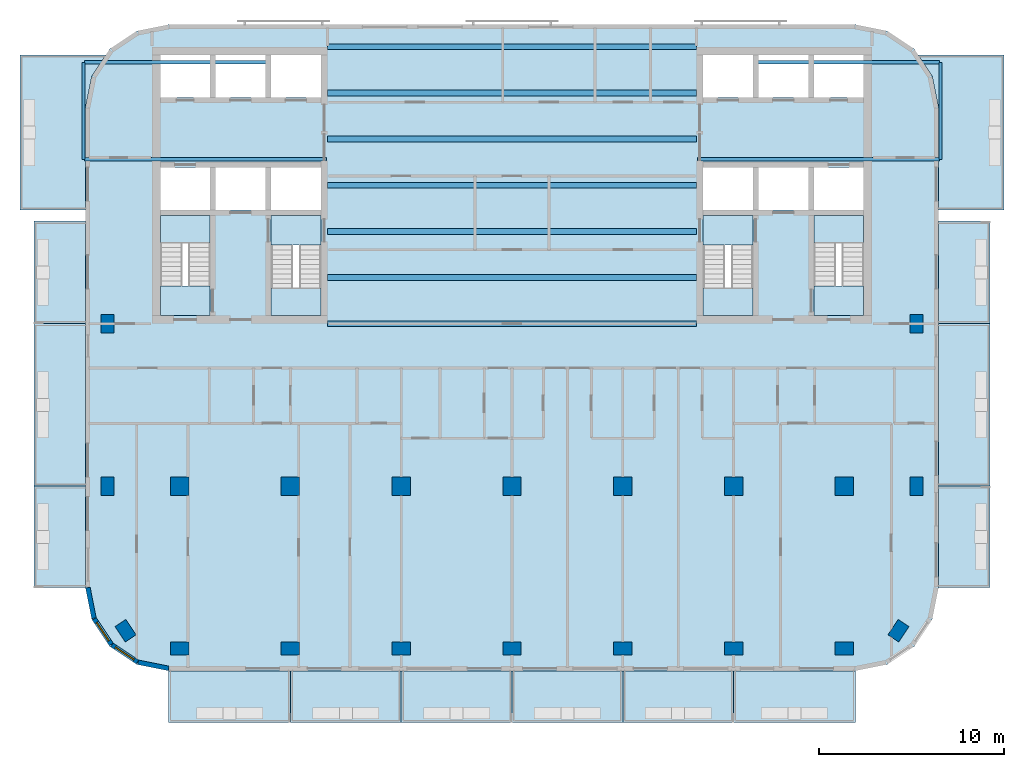
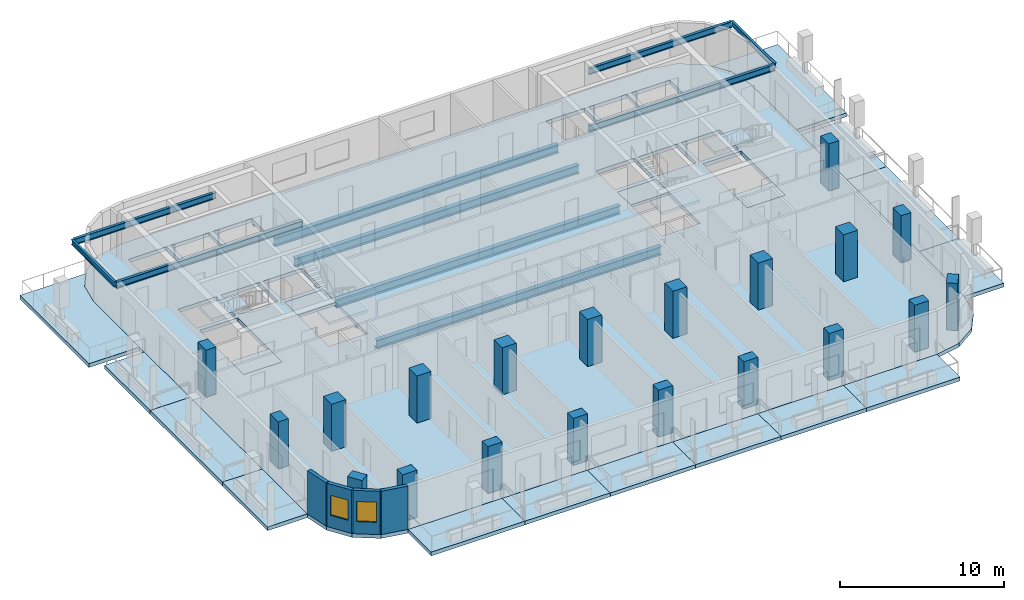
# One storey, part 1 of 11: 23 slabs, 20 columns, 13 beams, 4 walls, 2 windows, 2 openings, 4 elements without a shape of their own.
"""IFC4 building model written with IfcOpenShell, lengths in metres."""

from ifc_helpers import new_model, si_unit, direction, frame, frame_2d, origin, origin_2d, place, context, subcontext, project, spatial, polyline, rectangle, i_section, outline, extrude, material, layer, layer_set, material_profile, profile_set, type_object, element, fill, aggregate, save


model = new_model("IFC4")

# Units and contexts
model_context = context("Model", 3, precision=1e-05, world=origin(), true_north=direction((0.0, 1.0)))
body_context = subcontext(model_context, "Body", "Model", "MODEL_VIEW")
ifc_project = project(units=[si_unit("LENGTHUNIT", "METRE"), si_unit("AREAUNIT", "SQUARE_METRE"), si_unit("VOLUMEUNIT", "CUBIC_METRE"), si_unit("PLANEANGLEUNIT", "RADIAN"), si_unit("MASSUNIT", "GRAM", prefix="KILO")], contexts=[model_context])

# Site, building, storey
site_placement = place(None, origin())
site = spatial("IfcSite", under=ifc_project, at=site_placement, CompositionType="ELEMENT")
building_placement = place(site_placement, origin())
building = spatial("IfcBuilding", under=site, at=building_placement, Name="Torana Hotel and Residences", CompositionType="ELEMENT")
storey_placement = place(building_placement, frame((0.0, 0.0, 277.10009765625)))
storey = spatial("IfcBuildingStorey", under=building, at=storey_placement, Name="L73", CompositionType="ELEMENT", Elevation=277.10009765625)

# Columns
ifc_material_1 = material(Name="Concrete C50/60", Category="concrete")
ifc_material_profile_1 = material_profile(ifc_material_1, rectangle(XDim=1.0, YDim=1.0, at=origin_2d()), Name="RC 1000x1000")
ifc_profile_set_1 = profile_set([ifc_material_profile_1], Name="Concrete C50/60")
column_type_1 = type_object("IfcColumnType", Name="COLUMN RC 1000x1000 C50/60", PredefinedType="COLUMN", material=ifc_profile_set_1)
for number, where, z_axis, x_axis, name in (
    (1, (-18.0, -23.800048828125, 0.0), (0.0, 0.0, 1.0), (1.0, 0.0, 0.0), "Column L73"),
    (2, (-12.0, -23.800048828125, 0.0), (0.0, 0.0, 1.0), (1.0, 0.0, 0.0), "Column L73"),
    (3, (-6.0, -23.800048828125, 0.0), (0.0, 0.0, 1.0), (1.0, 0.0, 0.0), "Column L73"),
    (4, (0.0, -23.800048828125, 0.0), (0.0, 0.0, 1.0), (1.0, 0.0, 0.0), "Column L73"),
    (5, (6.0, -23.800048828125, 0.0), (0.0, 0.0, 1.0), (1.0, 0.0, 0.0), "Column L73"),
    (6, (12.0, -23.800048828125, 0.0), (0.0, 0.0, 1.0), (1.0, 0.0, 0.0), "Column L73"),
    (7, (18.0, -23.800048828125, 0.0), (0.0, 0.0, 1.0), (1.0, 0.0, 0.0), "Column L73"),
):
    element("IfcColumn", number, at=place(storey_placement, frame(where, z_axis=z_axis, x_axis=x_axis)), inside=storey, type_object=column_type_1, Name=name, PredefinedType="COLUMN", context=body_context, shape_type="SweptSolid", body=[
        extrude(rectangle(XDim=1.0, YDim=1.0, at=origin_2d()), origin(), (0.0, 0.0, 1.0), 3.5),
    ])
ifc_material_2 = material(Name="Concrete C50/60", Category="concrete")
ifc_material_profile_2 = material_profile(ifc_material_2, rectangle(XDim=1.0, YDim=0.699951171875, at=origin_2d()), Name="RC 1000x700")
ifc_profile_set_2 = profile_set([ifc_material_profile_2], Name="Concrete C50/60")
column_type_2 = type_object("IfcColumnType", Name="COLUMN RC 1000x700 C50/60", PredefinedType="COLUMN", material=ifc_profile_set_2)
for number, where, z_axis, x_axis, name in (
    (8, (-21.89990234375, -23.800048828125, 0.0), (0.0, 0.0, 1.0), (0.0, 1.0, 0.0), "Column L73"),
    (9, (-21.89990234375, -15.0, 0.0), (0.0, 0.0, 1.0), (0.0, 1.0, 0.0), "Column L73"),
    (10, (-20.93310546875, -31.633056640625, 0.0), (0.0, 0.0, 1.0), (-0.555584744817, 0.831459915646, 0.0), "Column L73"),
    (11, (-18.0, -32.60009765625, 0.0), (0.0, 0.0, 1.0), (1.0, 0.0, 0.0), "Column L73"),
    (12, (-12.0, -32.60009765625, 0.0), (0.0, 0.0, 1.0), (1.0, 0.0, 0.0), "Column L73"),
    (13, (-6.0, -32.60009765625, 0.0), (0.0, 0.0, 1.0), (1.0, 0.0, 0.0), "Column L73"),
    (14, (0.0, -32.60009765625, 0.0), (0.0, 0.0, 1.0), (1.0, 0.0, 0.0), "Column L73"),
    (15, (6.0, -32.60009765625, 0.0), (0.0, 0.0, 1.0), (1.0, 0.0, 0.0), "Column L73"),
    (16, (12.0, -32.60009765625, 0.0), (0.0, 0.0, 1.0), (1.0, 0.0, 0.0), "Column L73"),
    (17, (18.0, -32.60009765625, 0.0), (0.0, 0.0, 1.0), (1.0, 0.0, 0.0), "Column L73"),
    (18, (20.93310546875, -31.633056640625, 0.0), (0.0, 0.0, 1.0), (0.555584744817, 0.831459915646, 0.0), "Column L73"),
    (19, (21.89990234375, -23.800048828125, 0.0), (0.0, 0.0, 1.0), (0.0, 1.0, 0.0), "Column L73"),
    (20, (21.89990234375, -15.0, 0.0), (0.0, 0.0, 1.0), (0.0, 1.0, 0.0), "Column L73"),
):
    element("IfcColumn", number, at=place(storey_placement, frame(where, z_axis=z_axis, x_axis=x_axis)), inside=storey, type_object=column_type_2, Name=name, PredefinedType="COLUMN", context=body_context, shape_type="SweptSolid", body=[
        extrude(rectangle(XDim=1.0, YDim=0.699951171875, at=origin_2d()), origin(), (0.0, 0.0, 1.0), 3.5),
    ])

# Beams
ifc_material_3 = material(Name="Steel S355", Category="steel")
ifc_material_profile_3 = material_profile(ifc_material_3, i_section(OverallWidth=0.19287109375, OverallDepth=0.46728515625, WebThickness=0.011474609375, FlangeThickness=0.01953125, FilletRadius=0.01025390625, at=origin_2d()), Name="457x191x98 UB")
ifc_profile_set_3 = profile_set([ifc_material_profile_3], Name="Steel S355")
beam_type_1 = type_object("IfcBeamType", Name="BALCONY CANTILEVER BEAM 457x191x98 UB", PredefinedType="BEAM", material=ifc_profile_set_3)
beam_1_placement = place(storey_placement, frame((-23.1484375, -6.10009765625, 2.986328125), z_axis=(1.0, 0.0, 0.0), x_axis=(0.0, 1.0, 0.0)))
element("IfcBeam", 21, at=beam_1_placement, inside=storey, type_object=beam_type_1, Name="Balcony cantilever beam", PredefinedType="BEAM", context=body_context, shape_type="SweptSolid", body=[
    extrude(i_section(OverallWidth=0.19287109375, OverallDepth=0.46728515625, WebThickness=0.011474609375, FlangeThickness=0.01953125, FilletRadius=0.01025390625, at=origin_2d()), origin(), (0.0, 0.0, 1.0), 13.098388671875),
])
beam_2_placement = place(storey_placement, frame((-23.1484375, -0.85009765625, 2.986328125), z_axis=(1.0, 0.0, 0.0), x_axis=(0.0, 1.0, 0.0)))
element("IfcBeam", 22, at=beam_2_placement, inside=storey, type_object=beam_type_1, Name="Balcony cantilever beam", PredefinedType="BEAM", context=body_context, shape_type="SweptSolid", body=[
    extrude(i_section(OverallWidth=0.19287109375, OverallDepth=0.46728515625, WebThickness=0.011474609375, FlangeThickness=0.01953125, FilletRadius=0.01025390625, at=origin_2d()), origin(), (0.0, 0.0, 1.0), 10.04833984375),
])
beam_3_placement = place(storey_placement, frame((23.1484375, -6.10009765625, 2.986328125), z_axis=(-1.0, 0.0, 0.0), x_axis=(0.0, -1.0, 0.0)))
element("IfcBeam", 23, at=beam_3_placement, inside=storey, type_object=beam_type_1, Name="Balcony cantilever beam", PredefinedType="BEAM", context=body_context, shape_type="SweptSolid", body=[
    extrude(i_section(OverallWidth=0.19287109375, OverallDepth=0.46728515625, WebThickness=0.011474609375, FlangeThickness=0.01953125, FilletRadius=0.01025390625, at=origin_2d()), origin(), (0.0, 0.0, 1.0), 13.098388671875),
])
beam_4_placement = place(storey_placement, frame((23.1484375, -0.85009765625, 2.986328125), z_axis=(-1.0, 0.0, 0.0), x_axis=(0.0, -1.0, 0.0)))
element("IfcBeam", 24, at=beam_4_placement, inside=storey, type_object=beam_type_1, Name="Balcony cantilever beam", PredefinedType="BEAM", context=body_context, shape_type="SweptSolid", body=[
    extrude(i_section(OverallWidth=0.19287109375, OverallDepth=0.46728515625, WebThickness=0.011474609375, FlangeThickness=0.01953125, FilletRadius=0.01025390625, at=origin_2d()), origin(), (0.0, 0.0, 1.0), 10.04833984375),
])
ifc_material_4 = material(Name="Steel S355", Category="steel")
ifc_material_profile_4 = material_profile(ifc_material_4, i_section(OverallWidth=0.173095703125, OverallDepth=0.36328125, WebThickness=0.009033203125, FlangeThickness=0.015625, FilletRadius=0.01025390625, at=origin_2d()), Name="356x171x67 UB")
ifc_profile_set_4 = profile_set([ifc_material_profile_4], Name="Steel S355")
beam_type_2 = type_object("IfcBeamType", Name="BALCONY TIP BEAM 356x171x67 UB", PredefinedType="BEAM", material=ifc_profile_set_4)
for number, where, z_axis, x_axis, name in (
    (25, (-23.205078125, -6.10009765625, 3.0380859375), (0.0, 1.0, 0.0), (-1.0, 0.0, 0.0), "Balcony tip beam"),
    (26, (23.205078125, -6.10009765625, 3.0380859375), (0.0, 1.0, 0.0), (-1.0, 0.0, 0.0), "Balcony tip beam"),
):
    element("IfcBeam", number, at=place(storey_placement, frame(where, z_axis=z_axis, x_axis=x_axis)), inside=storey, type_object=beam_type_2, Name=name, PredefinedType="BEAM", context=body_context, shape_type="SweptSolid", body=[
        extrude(i_section(OverallWidth=0.173095703125, OverallDepth=0.36328125, WebThickness=0.009033203125, FlangeThickness=0.015625, FilletRadius=0.01025390625, at=origin_2d()), origin(), (0.0, 0.0, 1.0), 5.25),
    ])
ifc_material_5 = material(Name="Steel S355", Category="steel")
ifc_material_profile_5 = material_profile(ifc_material_5, i_section(OverallWidth=0.311279296875, OverallDepth=0.6357421875, WebThickness=0.018310546875, FlangeThickness=0.031494140625, FilletRadius=0.0166015625, at=origin_2d()), Name="610x305x238 UB")
ifc_profile_set_5 = profile_set([ifc_material_profile_5], Name="Steel S355")
beam_type_3 = type_object("IfcBeamType", Name="STEEL GIRDER 610x305x238 UB", PredefinedType="BEAM", material=ifc_profile_set_5)
for number, where, z_axis, x_axis, name in (
    (27, (-10.0, -15.0, -0.597900390625), (1.0, 0.0, 0.0), (0.0, 1.0, 0.0), "Floor girder"),
    (28, (-10.0, -12.5, -0.597900390625), (1.0, 0.0, 0.0), (0.0, 1.0, 0.0), "Floor girder"),
    (29, (-10.0, -10.0, -0.597900390625), (1.0, 0.0, 0.0), (0.0, 1.0, 0.0), "Floor girder"),
    (30, (-10.0, -7.5, -0.597900390625), (1.0, 0.0, 0.0), (0.0, 1.0, 0.0), "Floor girder"),
    (31, (-10.0, -5.0, -0.597900390625), (1.0, 0.0, 0.0), (0.0, 1.0, 0.0), "Floor girder"),
    (32, (-10.0, -2.5, -0.597900390625), (1.0, 0.0, 0.0), (0.0, 1.0, 0.0), "Floor girder"),
    (33, (-10.0, 0.0, -0.597900390625), (1.0, 0.0, 0.0), (0.0, 1.0, 0.0), "Floor girder"),
):
    element("IfcBeam", number, at=place(storey_placement, frame(where, z_axis=z_axis, x_axis=x_axis)), inside=storey, type_object=beam_type_3, Name=name, PredefinedType="BEAM", context=body_context, shape_type="SweptSolid", body=[
        extrude(i_section(OverallWidth=0.311279296875, OverallDepth=0.6357421875, WebThickness=0.018310546875, FlangeThickness=0.031494140625, FilletRadius=0.0166015625, at=origin_2d()), origin(), (0.0, 0.0, 1.0), 20.0),
    ])

# Slabs
ifc_material_6 = material(Name="Concrete C40/50", Category="concrete")
ifc_layer_1 = layer(ifc_material_6, 0.280029296875)
ifc_layer_set_1 = layer_set([ifc_layer_1], Name="BAL1 BALCONY SLAB 280")
slab_type_1 = type_object("IfcSlabType", Name="BAL1 BALCONY SLAB 280", PredefinedType="USERDEFINED", material=ifc_layer_set_1)
slab_1_placement = place(storey_placement, frame((0.0, 0.0, -0.280029296875)))
element("IfcSlab", 34, at=slab_1_placement, inside=storey, type_object=slab_type_1, Name="Balcony 01", ObjectType="BALCONY", PredefinedType="USERDEFINED", context=body_context, shape_type="SweptSolid", body=[
    extrude(outline(polyline([(-18.60009765625, -36.60009765625), (-12.0, -36.60009765625), (-12.0, -33.800048828125), (-18.60009765625, -33.800048828125), (-18.60009765625, -36.60009765625)])), origin(), (0.0, 0.0, 1.0), 0.280029296875),
])
slab_2_placement = place(storey_placement, frame((0.0, 0.0, -0.280029296875)))
element("IfcSlab", 35, at=slab_2_placement, inside=storey, type_object=slab_type_1, Name="Balcony 02", ObjectType="BALCONY", PredefinedType="USERDEFINED", context=body_context, shape_type="SweptSolid", body=[
    extrude(outline(polyline([(-12.0, -36.60009765625), (-6.0, -36.60009765625), (-6.0, -33.800048828125), (-12.0, -33.800048828125), (-12.0, -36.60009765625)])), origin(), (0.0, 0.0, 1.0), 0.280029296875),
])
slab_3_placement = place(storey_placement, frame((0.0, 0.0, -0.280029296875)))
element("IfcSlab", 36, at=slab_3_placement, inside=storey, type_object=slab_type_1, Name="Balcony 03", ObjectType="BALCONY", PredefinedType="USERDEFINED", context=body_context, shape_type="SweptSolid", body=[
    extrude(outline(polyline([(-6.0, -36.60009765625), (0.0, -36.60009765625), (0.0, -33.800048828125), (-6.0, -33.800048828125), (-6.0, -36.60009765625)])), origin(), (0.0, 0.0, 1.0), 0.280029296875),
])
slab_4_placement = place(storey_placement, frame((0.0, 0.0, -0.280029296875)))
element("IfcSlab", 37, at=slab_4_placement, inside=storey, type_object=slab_type_1, Name="Balcony 04", ObjectType="BALCONY", PredefinedType="USERDEFINED", context=body_context, shape_type="SweptSolid", body=[
    extrude(outline(polyline([(0.0, -36.60009765625), (6.0, -36.60009765625), (6.0, -33.800048828125), (0.0, -33.800048828125), (0.0, -36.60009765625)])), origin(), (0.0, 0.0, 1.0), 0.280029296875),
])
slab_5_placement = place(storey_placement, frame((0.0, 0.0, -0.280029296875)))
element("IfcSlab", 38, at=slab_5_placement, inside=storey, type_object=slab_type_1, Name="Balcony 05", ObjectType="BALCONY", PredefinedType="USERDEFINED", context=body_context, shape_type="SweptSolid", body=[
    extrude(outline(polyline([(6.0, -36.60009765625), (12.0, -36.60009765625), (12.0, -33.800048828125), (6.0, -33.800048828125), (6.0, -36.60009765625)])), origin(), (0.0, 0.0, 1.0), 0.280029296875),
])
slab_6_placement = place(storey_placement, frame((0.0, 0.0, -0.280029296875)))
element("IfcSlab", 39, at=slab_6_placement, inside=storey, type_object=slab_type_1, Name="Balcony 06", ObjectType="BALCONY", PredefinedType="USERDEFINED", context=body_context, shape_type="SweptSolid", body=[
    extrude(outline(polyline([(12.0, -36.60009765625), (18.60009765625, -36.60009765625), (18.60009765625, -33.800048828125), (12.0, -33.800048828125), (12.0, -36.60009765625)])), origin(), (0.0, 0.0, 1.0), 0.280029296875),
])
slab_7_placement = place(storey_placement, frame((0.0, 0.0, -0.280029296875)))
element("IfcSlab", 40, at=slab_7_placement, inside=storey, type_object=slab_type_1, Name="Balcony 07", ObjectType="BALCONY", PredefinedType="USERDEFINED", context=body_context, shape_type="SweptSolid", body=[
    extrude(outline(polyline([(-25.89990234375, -29.300048828125), (-23.10009765625, -29.300048828125), (-23.10009765625, -23.800048828125), (-25.89990234375, -23.800048828125), (-25.89990234375, -29.300048828125)])), origin(), (0.0, 0.0, 1.0), 0.280029296875),
])
slab_8_placement = place(storey_placement, frame((0.0, 0.0, -0.280029296875)))
element("IfcSlab", 41, at=slab_8_placement, inside=storey, type_object=slab_type_1, Name="Balcony 08", ObjectType="BALCONY", PredefinedType="USERDEFINED", context=body_context, shape_type="SweptSolid", body=[
    extrude(outline(polyline([(-25.89990234375, -23.800048828125), (-23.10009765625, -23.800048828125), (-23.10009765625, -15.0), (-25.89990234375, -15.0), (-25.89990234375, -23.800048828125)])), origin(), (0.0, 0.0, 1.0), 0.280029296875),
])
slab_9_placement = place(storey_placement, frame((0.0, 0.0, -0.280029296875)))
element("IfcSlab", 42, at=slab_9_placement, inside=storey, type_object=slab_type_1, Name="Balcony 09", ObjectType="BALCONY", PredefinedType="USERDEFINED", context=body_context, shape_type="SweptSolid", body=[
    extrude(outline(polyline([(-25.89990234375, -15.0), (-23.10009765625, -15.0), (-23.10009765625, -9.449951171875), (-25.89990234375, -9.449951171875), (-25.89990234375, -15.0)])), origin(), (0.0, 0.0, 1.0), 0.280029296875),
])
slab_10_placement = place(storey_placement, frame((0.0, 0.0, -0.280029296875)))
element("IfcSlab", 43, at=slab_10_placement, inside=storey, type_object=slab_type_1, Name="Balcony 10", ObjectType="BALCONY", PredefinedType="USERDEFINED", context=body_context, shape_type="SweptSolid", body=[
    extrude(outline(polyline([(-26.64990234375, -8.85009765625), (-23.10009765625, -8.85009765625), (-23.10009765625, -3.300048828125), (-22.757568359375, -1.577880859375), (-22.00390625, -0.449951171875), (-26.64990234375, -0.449951171875), (-26.64990234375, -8.85009765625)])), origin(), (0.0, 0.0, 1.0), 0.280029296875),
])
slab_11_placement = place(storey_placement, frame((0.0, 0.0, -0.280029296875)))
element("IfcSlab", 44, at=slab_11_placement, inside=storey, type_object=slab_type_1, Name="Balcony 11", ObjectType="BALCONY", PredefinedType="USERDEFINED", context=body_context, shape_type="SweptSolid", body=[
    extrude(outline(polyline([(23.10009765625, -29.300048828125), (25.89990234375, -29.300048828125), (25.89990234375, -23.800048828125), (23.10009765625, -23.800048828125), (23.10009765625, -29.300048828125)])), origin(), (0.0, 0.0, 1.0), 0.280029296875),
])
slab_12_placement = place(storey_placement, frame((0.0, 0.0, -0.280029296875)))
element("IfcSlab", 45, at=slab_12_placement, inside=storey, type_object=slab_type_1, Name="Balcony 12", ObjectType="BALCONY", PredefinedType="USERDEFINED", context=body_context, shape_type="SweptSolid", body=[
    extrude(outline(polyline([(23.10009765625, -23.800048828125), (25.89990234375, -23.800048828125), (25.89990234375, -15.0), (23.10009765625, -15.0), (23.10009765625, -23.800048828125)])), origin(), (0.0, 0.0, 1.0), 0.280029296875),
])
slab_13_placement = place(storey_placement, frame((0.0, 0.0, -0.280029296875)))
element("IfcSlab", 46, at=slab_13_placement, inside=storey, type_object=slab_type_1, Name="Balcony 13", ObjectType="BALCONY", PredefinedType="USERDEFINED", context=body_context, shape_type="SweptSolid", body=[
    extrude(outline(polyline([(23.10009765625, -15.0), (25.89990234375, -15.0), (25.89990234375, -9.449951171875), (23.10009765625, -9.449951171875), (23.10009765625, -15.0)])), origin(), (0.0, 0.0, 1.0), 0.280029296875),
])
slab_14_placement = place(storey_placement, frame((0.0, 0.0, -0.280029296875)))
element("IfcSlab", 47, at=slab_14_placement, inside=storey, type_object=slab_type_1, Name="Balcony 14", ObjectType="BALCONY", PredefinedType="USERDEFINED", context=body_context, shape_type="SweptSolid", body=[
    extrude(outline(polyline([(23.10009765625, -8.85009765625), (26.64990234375, -8.85009765625), (26.64990234375, -0.449951171875), (22.00390625, -0.449951171875), (22.757568359375, -1.577880859375), (23.10009765625, -3.300048828125), (23.10009765625, -8.85009765625)])), origin(), (0.0, 0.0, 1.0), 0.280029296875),
])
ifc_material_7 = material(Name="Concrete C40/50", Category="concrete")
ifc_layer_2 = layer(ifc_material_7, 0.280029296875)
ifc_layer_set_2 = layer_set([ifc_layer_2], Name="FLOOR SLAB PT 280")
slab_type_2 = type_object("IfcSlabType", Name="FLOOR SLAB PT 280", PredefinedType="FLOOR", material=ifc_layer_set_2)
slab_15_placement = place(storey_placement, frame((0.0, 0.0, -0.280029296875)))
element("IfcSlab", 48, at=slab_15_placement, inside=storey, type_object=slab_type_2, Name="Floor slab", PredefinedType="FLOOR", context=body_context, shape_type="SweptSolid", body=[
    extrude(outline(polyline([(23.10009765625, -3.300048828125), (22.757568359375, -1.577880859375), (21.781982421875, -0.117919921875), (20.322021484375, 0.857421875), (18.60009765625, 1.199951171875), (-18.60009765625, 1.199951171875), (-20.322021484375, 0.857421875), (-21.781982421875, -0.117919921875), (-22.757568359375, -1.577880859375), (-23.10009765625, -3.300048828125), (-23.10009765625, -29.300048828125), (-22.757568359375, -31.022216796875), (-21.781982421875, -32.48193359375), (-20.322021484375, -33.45751953125), (-18.60009765625, -33.800048828125), (18.60009765625, -33.800048828125), (20.322021484375, -33.45751953125), (21.781982421875, -32.48193359375), (22.757568359375, -31.022216796875), (23.10009765625, -29.300048828125), (23.10009765625, -3.300048828125)]), holes=[polyline([(-13.050048828125, -14.550048828125), (-10.35009765625, -14.550048828125), (-10.35009765625, -9.14990234375), (-13.050048828125, -9.14990234375), (-13.050048828125, -14.550048828125)]), polyline([(-19.050048828125, -14.550048828125), (-16.35009765625, -14.550048828125), (-16.35009765625, -9.14990234375), (-19.050048828125, -9.14990234375), (-19.050048828125, -14.550048828125)]), polyline([(-19.050048828125, -2.75), (-16.35009765625, -2.75), (-16.35009765625, -0.449951171875), (-19.050048828125, -0.449951171875), (-19.050048828125, -2.75)]), polyline([(-13.050048828125, -2.75), (-10.35009765625, -2.75), (-10.35009765625, -0.449951171875), (-13.050048828125, -0.449951171875), (-13.050048828125, -2.75)]), polyline([(-16.050048828125, -2.75), (-13.35009765625, -2.75), (-13.35009765625, -0.449951171875), (-16.050048828125, -0.449951171875), (-16.050048828125, -2.75)]), polyline([(-13.050048828125, -8.85009765625), (-10.35009765625, -8.85009765625), (-10.35009765625, -6.550048828125), (-13.050048828125, -6.550048828125), (-13.050048828125, -8.85009765625)]), polyline([(-16.050048828125, -8.85009765625), (-13.35009765625, -8.85009765625), (-13.35009765625, -6.550048828125), (-16.050048828125, -6.550048828125), (-16.050048828125, -8.85009765625)]), polyline([(-19.050048828125, -8.85009765625), (-16.35009765625, -8.85009765625), (-16.35009765625, -6.550048828125), (-19.050048828125, -6.550048828125), (-19.050048828125, -8.85009765625)]), polyline([(10.35009765625, -14.550048828125), (13.050048828125, -14.550048828125), (13.050048828125, -9.14990234375), (10.35009765625, -9.14990234375), (10.35009765625, -14.550048828125)]), polyline([(16.35009765625, -14.550048828125), (19.050048828125, -14.550048828125), (19.050048828125, -9.14990234375), (16.35009765625, -9.14990234375), (16.35009765625, -14.550048828125)]), polyline([(16.35009765625, -2.75), (19.050048828125, -2.75), (19.050048828125, -0.449951171875), (16.35009765625, -0.449951171875), (16.35009765625, -2.75)]), polyline([(10.35009765625, -2.75), (13.050048828125, -2.75), (13.050048828125, -0.449951171875), (10.35009765625, -0.449951171875), (10.35009765625, -2.75)]), polyline([(13.35009765625, -2.75), (16.050048828125, -2.75), (16.050048828125, -0.449951171875), (13.35009765625, -0.449951171875), (13.35009765625, -2.75)]), polyline([(10.35009765625, -8.85009765625), (13.050048828125, -8.85009765625), (13.050048828125, -6.550048828125), (10.35009765625, -6.550048828125), (10.35009765625, -8.85009765625)]), polyline([(13.35009765625, -8.85009765625), (16.050048828125, -8.85009765625), (16.050048828125, -6.550048828125), (13.35009765625, -6.550048828125), (13.35009765625, -8.85009765625)]), polyline([(16.35009765625, -8.85009765625), (19.050048828125, -8.85009765625), (19.050048828125, -6.550048828125), (16.35009765625, -6.550048828125), (16.35009765625, -8.85009765625)])]), origin(), (0.0, 0.0, 1.0), 0.280029296875),
])

# Stair, slabs
ifc_material_8 = material(Name="Concrete C40/50 precast", Category="concrete")
stair_type_1 = type_object("IfcStairType", Name="STAIR ST1 HALF TURN 1200", PredefinedType="HALF_TURN_STAIR", material=ifc_material_8)
stair_1_placement = place(storey_placement, origin())
stair_1 = element("IfcStair", 49, at=stair_1_placement, inside=storey, type_object=stair_type_1, Name="Stair ST1 L73", PredefinedType="HALF_TURN_STAIR")
ifc_material_9 = material(Name="Concrete C40/50 precast", Category="concrete")
ifc_layer_3 = layer(ifc_material_9, 0.199951171875)
ifc_layer_set_3 = layer_set([ifc_layer_3], Name="STAIR LANDING 200")
slab_type_3 = type_object("IfcSlabType", Name="STAIR LANDING 200", PredefinedType="LANDING", material=ifc_layer_set_3)
slab_16_placement = place(storey_placement, frame((0.0, 0.0, 1.5498046875)))
slab_16 = element("IfcSlab", 50, at=slab_16_placement, type_object=slab_type_3, Name="ST1 landing 1", PredefinedType="LANDING", context=body_context, shape_type="SweptSolid", body=[
    extrude(outline(polyline([(-13.050048828125, -14.550048828125), (-10.35009765625, -14.550048828125), (-10.35009765625, -13.090087890625), (-13.050048828125, -13.090087890625), (-13.050048828125, -14.550048828125)])), origin(), (0.0, 0.0, 1.0), 0.2001953125),
])
slab_17_placement = place(storey_placement, frame((0.0, 0.0, -0.2001953125)))
slab_17 = element("IfcSlab", 51, at=slab_17_placement, type_object=slab_type_3, Name="ST1 landing 2", PredefinedType="LANDING", context=body_context, shape_type="SweptSolid", body=[
    extrude(outline(polyline([(-13.050048828125, -10.75), (-10.35009765625, -10.75), (-10.35009765625, -9.14990234375), (-13.050048828125, -9.14990234375), (-13.050048828125, -10.75)])), origin(), (0.0, 0.0, 1.0), 0.2001953125),
])
aggregate(stair_1, [slab_16, slab_17])

ifc_material_10 = material(Name="Concrete C40/50 precast", Category="concrete")
stair_type_2 = type_object("IfcStairType", Name="STAIR ST2 HALF TURN 1200", PredefinedType="HALF_TURN_STAIR", material=ifc_material_10)
stair_2_placement = place(storey_placement, origin())
stair_2 = element("IfcStair", 52, at=stair_2_placement, inside=storey, type_object=stair_type_2, Name="Stair ST2 L73", PredefinedType="HALF_TURN_STAIR")
slab_18_placement = place(storey_placement, frame((0.0, 0.0, 1.5498046875)))
slab_18 = element("IfcSlab", 53, at=slab_18_placement, type_object=slab_type_3, Name="ST2 landing 1", PredefinedType="LANDING", context=body_context, shape_type="SweptSolid", body=[
    extrude(outline(polyline([(-19.050048828125, -10.610107421875), (-16.35009765625, -10.610107421875), (-16.35009765625, -9.14990234375), (-19.050048828125, -9.14990234375), (-19.050048828125, -10.610107421875)])), origin(), (0.0, 0.0, 1.0), 0.2001953125),
])
slab_19_placement = place(storey_placement, frame((0.0, 0.0, -0.2001953125)))
slab_19 = element("IfcSlab", 54, at=slab_19_placement, type_object=slab_type_3, Name="ST2 landing 2", PredefinedType="LANDING", context=body_context, shape_type="SweptSolid", body=[
    extrude(outline(polyline([(-19.050048828125, -14.550048828125), (-16.35009765625, -14.550048828125), (-16.35009765625, -12.949951171875), (-19.050048828125, -12.949951171875), (-19.050048828125, -14.550048828125)])), origin(), (0.0, 0.0, 1.0), 0.2001953125),
])
aggregate(stair_2, [slab_18, slab_19])

ifc_material_11 = material(Name="Concrete C40/50 precast", Category="concrete")
stair_type_3 = type_object("IfcStairType", Name="STAIR ST3 HALF TURN 1200", PredefinedType="HALF_TURN_STAIR", material=ifc_material_11)
stair_3_placement = place(storey_placement, origin())
stair_3 = element("IfcStair", 55, at=stair_3_placement, inside=storey, type_object=stair_type_3, Name="Stair ST3 L73", PredefinedType="HALF_TURN_STAIR")
slab_20_placement = place(storey_placement, frame((0.0, 0.0, 1.5498046875)))
slab_20 = element("IfcSlab", 56, at=slab_20_placement, type_object=slab_type_3, Name="ST3 landing 1", PredefinedType="LANDING", context=body_context, shape_type="SweptSolid", body=[
    extrude(outline(polyline([(10.35009765625, -14.550048828125), (13.050048828125, -14.550048828125), (13.050048828125, -13.090087890625), (10.35009765625, -13.090087890625), (10.35009765625, -14.550048828125)])), origin(), (0.0, 0.0, 1.0), 0.2001953125),
])
slab_21_placement = place(storey_placement, frame((0.0, 0.0, -0.2001953125)))
slab_21 = element("IfcSlab", 57, at=slab_21_placement, type_object=slab_type_3, Name="ST3 landing 2", PredefinedType="LANDING", context=body_context, shape_type="SweptSolid", body=[
    extrude(outline(polyline([(10.35009765625, -10.75), (13.050048828125, -10.75), (13.050048828125, -9.14990234375), (10.35009765625, -9.14990234375), (10.35009765625, -10.75)])), origin(), (0.0, 0.0, 1.0), 0.2001953125),
])
aggregate(stair_3, [slab_20, slab_21])

ifc_material_12 = material(Name="Concrete C40/50 precast", Category="concrete")
stair_type_4 = type_object("IfcStairType", Name="STAIR ST4 HALF TURN 1200", PredefinedType="HALF_TURN_STAIR", material=ifc_material_12)
stair_4_placement = place(storey_placement, origin())
stair_4 = element("IfcStair", 58, at=stair_4_placement, inside=storey, type_object=stair_type_4, Name="Stair ST4 L73", PredefinedType="HALF_TURN_STAIR")
slab_22_placement = place(storey_placement, frame((0.0, 0.0, 1.5498046875)))
slab_22 = element("IfcSlab", 59, at=slab_22_placement, type_object=slab_type_3, Name="ST4 landing 1", PredefinedType="LANDING", context=body_context, shape_type="SweptSolid", body=[
    extrude(outline(polyline([(16.35009765625, -10.610107421875), (19.050048828125, -10.610107421875), (19.050048828125, -9.14990234375), (16.35009765625, -9.14990234375), (16.35009765625, -10.610107421875)])), origin(), (0.0, 0.0, 1.0), 0.2001953125),
])
slab_23_placement = place(storey_placement, frame((0.0, 0.0, -0.2001953125)))
slab_23 = element("IfcSlab", 60, at=slab_23_placement, type_object=slab_type_3, Name="ST4 landing 2", PredefinedType="LANDING", context=body_context, shape_type="SweptSolid", body=[
    extrude(outline(polyline([(16.35009765625, -14.550048828125), (19.050048828125, -14.550048828125), (19.050048828125, -12.949951171875), (16.35009765625, -12.949951171875), (16.35009765625, -14.550048828125)])), origin(), (0.0, 0.0, 1.0), 0.2001953125),
])
aggregate(stair_4, [slab_22, slab_23])

# Wall
ifc_material_13 = material(Name="Black aluminium composite panel", Category="aluminium")
ifc_layer_4 = layer(ifc_material_13, 0.00390625, Name="Cladding", Category="cladding")
ifc_material_14 = material(Name="Ventilated air cavity")
ifc_layer_5 = layer(ifc_material_14, 0.0400390625, Name="Ventilated cavity", Category="cavity")
ifc_material_15 = material(Name="Mineral wool insulation")
ifc_layer_6 = layer(ifc_material_15, 0.090087890625, Name="Insulation", Category="insulation")
ifc_material_16 = material(Name="Steel S280GD", Category="steel")
ifc_layer_7 = layer(ifc_material_16, 0.092041015625, Name="Steel stud frame", Category="structure")
ifc_material_17 = material(Name="Fire rated plasterboard")
ifc_layer_8 = layer(ifc_material_17, 0.011962890625, Name="Inner board", Category="finish")
ifc_layer_9 = layer(ifc_material_17, 0.011962890625, Name="Second board", Category="finish")
ifc_layer_set_4 = layer_set([ifc_layer_4, ifc_layer_5, ifc_layer_6, ifc_layer_7, ifc_layer_8, ifc_layer_9], Name="EW1 EXTERNAL WALL BLACK METAL CLAD 250")
wall_type = type_object("IfcWallType", Name="EW1 EXTERNAL WALL BLACK METAL CLAD 250", PredefinedType="SOLIDWALL", material=ifc_layer_set_4)
wall_1_placement = place(storey_placement, frame((-22.97265625, -29.2998046875, 0.0), z_axis=(0.0, 0.0, 1.0), x_axis=(0.19513878023, -0.980775640221, 0.0)))
element("IfcWall", 61, at=wall_1_placement, inside=storey, type_object=wall_type, Name="External wall L73 e0.10", PredefinedType="SOLIDWALL", context=body_context, shape_type="SweptSolid", body=[
    extrude(rectangle(XDim=1.681396484375, YDim=0.25, at=frame_2d((0.8408203125, 0.0))), origin(), (0.0, 0.0, 1.0), 3.219970703125),
])

# Wall, opening, window
wall_2_placement = place(storey_placement, frame((-22.6259765625, -30.993896484375, 0.0), z_axis=(0.0, 0.0, 1.0), x_axis=(0.55555029066, -0.831482937015, 0.0)))
wall_2 = element("IfcWall", 62, at=wall_2_placement, inside=storey, type_object=wall_type, Name="External wall L73 e0.11", PredefinedType="SOLIDWALL", context=body_context, shape_type="SweptSolid", body=[
    extrude(rectangle(XDim=1.65625, YDim=0.25, at=frame_2d((0.828125, 0.0))), origin(), (0.0, 0.0, 1.0), 3.219970703125),
])
opening_1_placement = place(wall_2_placement, frame((0.228271484375, 0.0, 0.89990234375)))
opening_1 = element("IfcOpeningElement", 63, at=opening_1_placement, cuts=wall_2, Name="Opening W5", PredefinedType="OPENING", context=body_context, shape_type="SweptSolid", body=[
    extrude(rectangle(XDim=1.199951171875, YDim=1.5, at=frame_2d((0.60009765625, 0.75))), frame((0.0, 0.135009765625, 0.0), z_axis=(0.0, -1.0, 0.0), x_axis=(1.0, 0.0, 0.0)), (0.0, 0.0, 1.0), 0.27001953125),
])
ifc_material_18 = material(Name="Dark glass in black aluminium frame", Category="aluminium")
window_type = type_object("IfcWindowType", Name="W5 CORNER FACET WINDOW 1200x1500", PartitioningType="SINGLE_PANEL", PredefinedType="WINDOW", material=ifc_material_18)
window_1_placement = place(opening_1_placement, origin())
window_1 = element("IfcWindow", 64, at=window_1_placement, inside=storey, type_object=window_type, Name="Window L73 e0.11", OverallHeight=1.5, OverallWidth=1.199951171875, PartitioningType="SINGLE_PANEL", PredefinedType="WINDOW", context=body_context, shape_type="SweptSolid", body=[
    extrude(rectangle(XDim=1.199951171875, YDim=1.5, at=frame_2d((0.60009765625, 0.75))), frame((0.0, 0.030029296875, 0.0), z_axis=(0.0, -1.0, 0.0), x_axis=(1.0, 0.0, 0.0)), (0.0, 0.0, 1.0), 0.06005859375),
])
fill(opening_1, window_1)

wall_3_placement = place(storey_placement, frame((-21.671142578125, -32.40576171875, 0.0), z_axis=(0.0, 0.0, 1.0), x_axis=(0.831482937015, -0.55555029066, 0.0)))
wall_3 = element("IfcWall", 65, at=wall_3_placement, inside=storey, type_object=wall_type, Name="External wall L73 e0.12", PredefinedType="SOLIDWALL", context=body_context, shape_type="SweptSolid", body=[
    extrude(rectangle(XDim=1.65625, YDim=0.25, at=frame_2d((0.828125, 0.0))), origin(), (0.0, 0.0, 1.0), 3.219970703125),
])
opening_2_placement = place(wall_3_placement, frame((0.228271484375, 0.0, 0.89990234375)))
opening_2 = element("IfcOpeningElement", 66, at=opening_2_placement, cuts=wall_3, Name="Opening W5", PredefinedType="OPENING", context=body_context, shape_type="SweptSolid", body=[
    extrude(rectangle(XDim=1.199951171875, YDim=1.5, at=frame_2d((0.60009765625, 0.75))), frame((0.0, 0.135009765625, 0.0), z_axis=(0.0, -1.0, 0.0), x_axis=(1.0, 0.0, 0.0)), (0.0, 0.0, 1.0), 0.27001953125),
])
window_2_placement = place(opening_2_placement, origin())
window_2 = element("IfcWindow", 67, at=window_2_placement, inside=storey, type_object=window_type, Name="Window L73 e0.12", OverallHeight=1.5, OverallWidth=1.199951171875, PartitioningType="SINGLE_PANEL", PredefinedType="WINDOW", context=body_context, shape_type="SweptSolid", body=[
    extrude(rectangle(XDim=1.199951171875, YDim=1.5, at=frame_2d((0.60009765625, 0.75))), frame((0.0, 0.030029296875, 0.0), z_axis=(0.0, -1.0, 0.0), x_axis=(1.0, 0.0, 0.0)), (0.0, 0.0, 1.0), 0.06005859375),
])
fill(opening_2, window_2)

# Wall
wall_4_placement = place(storey_placement, frame((-20.248779296875, -33.344482421875, 0.0), z_axis=(0.0, 0.0, 1.0), x_axis=(0.980770110232, -0.195166572128, 0.0)))
element("IfcWall", 68, at=wall_4_placement, inside=storey, type_object=wall_type, Name="External wall L73 e0.13", PredefinedType="SOLIDWALL", context=body_context, shape_type="SweptSolid", body=[
    extrude(rectangle(XDim=1.68115234375, YDim=0.25, at=frame_2d((0.840576171875, 0.0))), origin(), (0.0, 0.0, 1.0), 3.219970703125),
])

save(model, "model.ifc")
